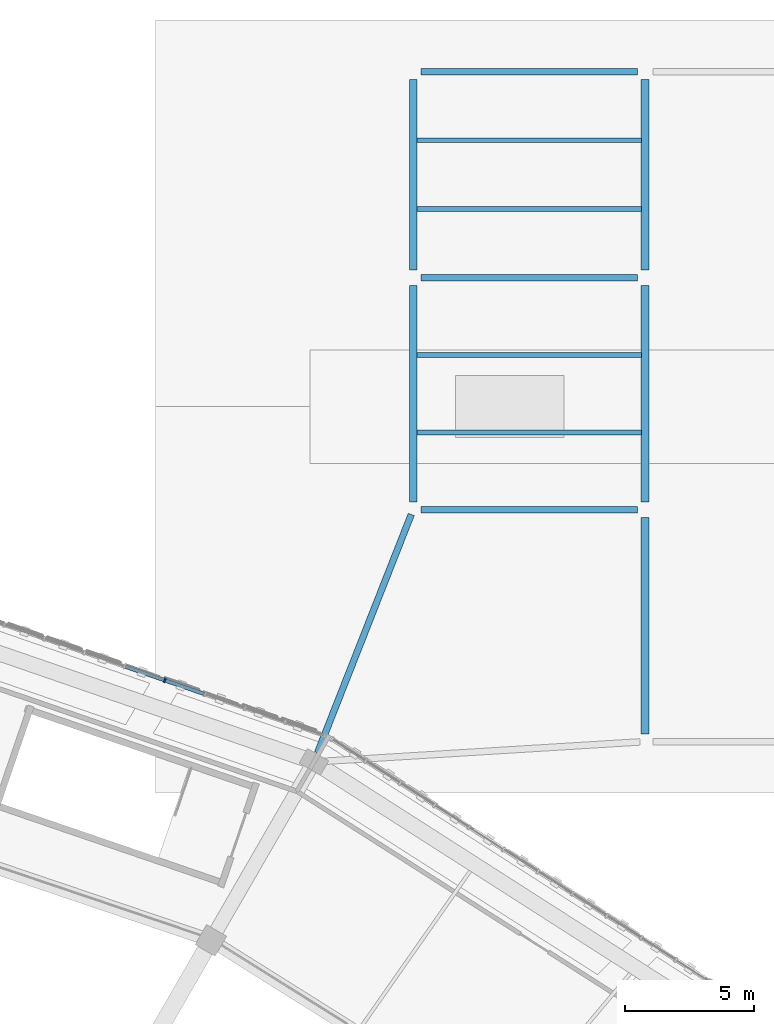
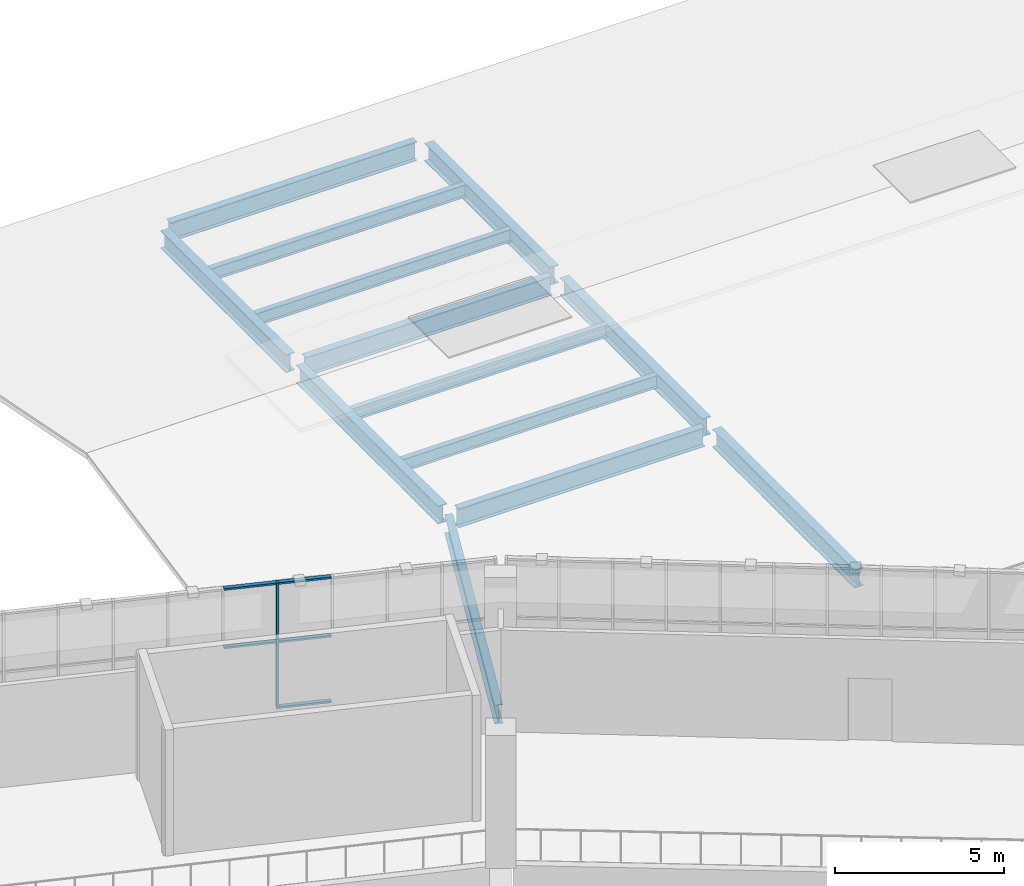
# One storey, part 48 of 108: 13 beams, 6 members, 1 element without a shape of its own.
"""IFC4 building model written with IfcOpenShell, lengths in metres."""

from ifc_helpers import new_model, si_unit, direction, frame, origin, origin_2d, place, context, subcontext, project, spatial, rectangle, i_section, extrude, material, material_profile, profile_set, type_object, element, aggregate, save


model = new_model("IFC4")

# Units and contexts
model_context = context("Model", 3, precision=1e-05, world=origin(), true_north=direction((0.0, 1.0)))
body_context = subcontext(model_context, "Body", "Model", "MODEL_VIEW")
ifc_project = project(units=[si_unit("LENGTHUNIT", "METRE"), si_unit("AREAUNIT", "SQUARE_METRE"), si_unit("VOLUMEUNIT", "CUBIC_METRE"), si_unit("PLANEANGLEUNIT", "RADIAN"), si_unit("MASSUNIT", "GRAM", prefix="KILO")], contexts=[model_context])

# Site, building, storey
site_placement = place(None, origin())
site = spatial("IfcSite", under=ifc_project, at=site_placement, CompositionType="ELEMENT")
building_placement = place(site_placement, origin())
building = spatial("IfcBuilding", under=site, at=building_placement, Name="Zevraka Park Crest Stadium", CompositionType="ELEMENT")
storey_placement = place(building_placement, frame((0.0, 0.0, 19.800048828125)))
storey = spatial("IfcBuildingStorey", under=building, at=storey_placement, Name="L04", CompositionType="ELEMENT", Elevation=19.800048828125)

# Beams
ifc_material_1 = material(Name="Steel S355", Category="steel")
ifc_material_profile_1 = material_profile(ifc_material_1, i_section(OverallWidth=0.253662109375, OverallDepth=0.68359375, WebThickness=0.012451171875, FlangeThickness=0.01904296875, at=origin_2d()), Name="UKB 686x254x140")
ifc_profile_set_1 = profile_set([ifc_material_profile_1], Name="Steel S355")
beam_type_1 = type_object("IfcBeamType", Name="BG05", PredefinedType="BEAM", material=ifc_profile_set_1)
beam_1_placement = place(storey_placement, frame((161.300048828125, 167.0, -0.60986328125), z_axis=(1.0, 0.0, 0.0), x_axis=(0.0, 1.0, 0.0)))
element("IfcBeam", 1, at=beam_1_placement, inside=storey, type_object=beam_type_1, Name="Wing Girder BG05 L04-1819/U", PredefinedType="BEAM", context=body_context, shape_type="SweptSolid", body=[
    extrude(i_section(OverallWidth=0.253662109375, OverallDepth=0.68359375, WebThickness=0.012451171875, FlangeThickness=0.01904296875, at=origin_2d()), origin(), (0.0, 0.0, 1.0), 8.39990234375),
])
beam_2_placement = place(storey_placement, frame((160.927001953125, 166.81396484375, -0.60986328125), z_axis=(-0.366068857267, -0.930587766812, 0.0), x_axis=(0.930587766812, -0.366068857267, 0.0)))
element("IfcBeam", 2, at=beam_2_placement, inside=storey, type_object=beam_type_1, Name="Wing Link Girder BG05 L04-18/U", PredefinedType="BEAM", context=body_context, shape_type="SweptSolid", body=[
    extrude(i_section(OverallWidth=0.253662109375, OverallDepth=0.68359375, WebThickness=0.012451171875, FlangeThickness=0.01904296875, at=origin_2d()), origin(), (0.0, 0.0, 1.0), 9.937744140625),
])
for number, where, z_axis, x_axis, name in (
    (3, (161.300048828125, 176.0, -0.60986328125), (1.0, 0.0, 0.0), (0.0, 1.0, 0.0), "Wing Girder BG05 L04-1819/V"),
    (4, (161.300048828125, 184.0, -0.60986328125), (1.0, 0.0, 0.0), (0.0, 1.0, 0.0), "Wing Girder BG05 L04-1819/W"),
):
    element("IfcBeam", number, at=place(storey_placement, frame(where, z_axis=z_axis, x_axis=x_axis)), inside=storey, type_object=beam_type_1, Name=name, PredefinedType="BEAM", context=body_context, shape_type="SweptSolid", body=[
        extrude(i_section(OverallWidth=0.253662109375, OverallDepth=0.68359375, WebThickness=0.012451171875, FlangeThickness=0.01904296875, at=origin_2d()), origin(), (0.0, 0.0, 1.0), 8.39990234375),
    ])
ifc_material_2 = material(Name="Steel S355", Category="steel")
ifc_material_profile_2 = material_profile(ifc_material_2, i_section(OverallWidth=0.300048828125, OverallDepth=0.64990234375, WebThickness=0.01611328125, FlangeThickness=0.031005859375, at=origin_2d()), Name="HEB 650")
ifc_profile_set_2 = profile_set([ifc_material_profile_2], Name="Steel S355")
beam_type_2 = type_object("IfcBeamType", Name="BG07", PredefinedType="BEAM", material=ifc_profile_set_2)
beam_3_placement = place(storey_placement, frame((161.0, 167.300048828125, -0.593017578125), z_axis=(0.0, 1.0, 0.0), x_axis=(-1.0, 0.0, 0.0)))
element("IfcBeam", 5, at=beam_3_placement, inside=storey, type_object=beam_type_2, Name="Wing Girder BG07 L04-18/UV", PredefinedType="BEAM", context=body_context, shape_type="SweptSolid", body=[
    extrude(i_section(OverallWidth=0.300048828125, OverallDepth=0.64990234375, WebThickness=0.01611328125, FlangeThickness=0.031005859375, at=origin_2d()), origin(), (0.0, 0.0, 1.0), 8.39990234375),
])
beam_4_placement = place(storey_placement, frame((161.0, 176.300048828125, -0.593017578125), z_axis=(0.0, 1.0, 0.0), x_axis=(-1.0, 0.0, 0.0)))
element("IfcBeam", 6, at=beam_4_placement, inside=storey, type_object=beam_type_2, Name="Wing Girder BG07 L04-18/VW", PredefinedType="BEAM", context=body_context, shape_type="SweptSolid", body=[
    extrude(i_section(OverallWidth=0.300048828125, OverallDepth=0.64990234375, WebThickness=0.01611328125, FlangeThickness=0.031005859375, at=origin_2d()), origin(), (0.0, 0.0, 1.0), 7.39990234375),
])
for number, where, z_axis, x_axis, name in (
    (7, (170.0, 158.300048828125, -0.593017578125), (0.0, 1.0, 0.0), (-1.0, 0.0, 0.0), "Wing Girder BG07 L04-19/TU"),
    (8, (170.0, 167.300048828125, -0.593017578125), (0.0, 1.0, 0.0), (-1.0, 0.0, 0.0), "Wing Girder BG07 L04-19/UV"),
):
    element("IfcBeam", number, at=place(storey_placement, frame(where, z_axis=z_axis, x_axis=x_axis)), inside=storey, type_object=beam_type_2, Name=name, PredefinedType="BEAM", context=body_context, shape_type="SweptSolid", body=[
        extrude(i_section(OverallWidth=0.300048828125, OverallDepth=0.64990234375, WebThickness=0.01611328125, FlangeThickness=0.031005859375, at=origin_2d()), origin(), (0.0, 0.0, 1.0), 8.39990234375),
    ])
beam_5_placement = place(storey_placement, frame((170.0, 176.300048828125, -0.593017578125), z_axis=(0.0, 1.0, 0.0), x_axis=(-1.0, 0.0, 0.0)))
element("IfcBeam", 9, at=beam_5_placement, inside=storey, type_object=beam_type_2, Name="Wing Girder BG07 L04-19/VW", PredefinedType="BEAM", context=body_context, shape_type="SweptSolid", body=[
    extrude(i_section(OverallWidth=0.300048828125, OverallDepth=0.64990234375, WebThickness=0.01611328125, FlangeThickness=0.031005859375, at=origin_2d()), origin(), (0.0, 0.0, 1.0), 7.39990234375),
])

# Curtain wall, members
ifc_material_3 = material(Name="Anodised architectural aluminium and laminated safety glass", Category="aluminium")
curtain_wall_type = type_object("IfcCurtainWallType", Name="CW17", PredefinedType="NOTDEFINED", material=ifc_material_3)
curtain_wall_placement = place(storey_placement, origin())
curtain_wall = element("IfcCurtainWall", 10, at=curtain_wall_placement, inside=storey, type_object=curtain_wall_type, Name="Unitised Ring Curtain Wall CW17 L04-04", PredefinedType="NOTDEFINED")
ifc_material_4 = material(Name="Anodised architectural aluminium", Category="aluminium")
ifc_material_profile_3 = material_profile(ifc_material_4, rectangle(XDim=0.179931640625, YDim=0.06494140625, at=origin_2d()), Name="ALU MULLION 180x65")
ifc_profile_set_3 = profile_set([ifc_material_profile_3], Name="Anodised architectural aluminium")
member_type_1 = type_object("IfcMemberType", Name="CM02", PredefinedType="MULLION", material=ifc_profile_set_3)
member_1_placement = place(storey_placement, frame((151.3623046875, 160.37841796875, 0.0), z_axis=(0.0, 0.0, 1.0), x_axis=(-0.327244524523, -0.944939691816, 0.0)))
member_1 = element("IfcMember", 11, at=member_1_placement, type_object=member_type_1, Name="CW17 mullion 5", PredefinedType="MULLION", context=body_context, shape_type="SweptSolid", body=[
    extrude(rectangle(XDim=0.179931640625, YDim=0.06494140625, at=origin_2d()), origin(), (0.0, 0.0, 1.0), 4.5400390625),
])
ifc_material_5 = material(Name="Anodised architectural aluminium", Category="aluminium")
ifc_material_profile_4 = material_profile(ifc_material_5, rectangle(XDim=0.139892578125, YDim=0.06494140625, at=origin_2d()), Name="ALU TRANSOM 140x65")
ifc_profile_set_4 = profile_set([ifc_material_profile_4], Name="Anodised architectural aluminium")
member_type_2 = type_object("IfcMemberType", Name="CT02", PredefinedType="USERDEFINED", material=ifc_profile_set_4)
member_2_placement = place(storey_placement, frame((152.888916015625, 159.849609375, 0.032470703125), z_axis=(-0.944932887153, 0.327264172766, 0.0), x_axis=(-0.327264172766, -0.944932887153, 0.0)))
member_2 = element("IfcMember", 12, at=member_2_placement, type_object=member_type_2, Name="CW17 transom 4.1", ObjectType="TRANSOM", PredefinedType="USERDEFINED", context=body_context, shape_type="SweptSolid", body=[
    extrude(rectangle(XDim=0.139892578125, YDim=0.06494140625, at=origin_2d()), origin(), (0.0, 0.0, 1.0), 1.5830078125),
])
member_3_placement = place(storey_placement, frame((152.888916015625, 159.849609375, 2.39990234375), z_axis=(-0.944932887153, 0.327264172766, 0.0), x_axis=(-0.327264172766, -0.944932887153, 0.0)))
member_3 = element("IfcMember", 13, at=member_3_placement, type_object=member_type_2, Name="CW17 transom 4.2", ObjectType="TRANSOM", PredefinedType="USERDEFINED", context=body_context, shape_type="SweptSolid", body=[
    extrude(rectangle(XDim=0.139892578125, YDim=0.06494140625, at=origin_2d()), origin(), (0.0, 0.0, 1.0), 1.5830078125),
])
member_4_placement = place(storey_placement, frame((152.888916015625, 159.849609375, 4.507568359375), z_axis=(-0.944932887153, 0.327264172766, 0.0), x_axis=(-0.327264172766, -0.944932887153, 0.0)))
member_4 = element("IfcMember", 14, at=member_4_placement, type_object=member_type_2, Name="CW17 transom 4.3", ObjectType="TRANSOM", PredefinedType="USERDEFINED", context=body_context, shape_type="SweptSolid", body=[
    extrude(rectangle(XDim=0.139892578125, YDim=0.06494140625, at=origin_2d()), origin(), (0.0, 0.0, 1.0), 1.5830078125),
])
member_5_placement = place(storey_placement, frame((151.33154296875, 160.38916015625, 2.39990234375), z_axis=(-0.94494940126, 0.327216486533, 0.0), x_axis=(-0.327216486533, -0.94494940126, 0.0)))
member_5 = element("IfcMember", 15, at=member_5_placement, type_object=member_type_2, Name="CW17 transom 5.2", ObjectType="TRANSOM", PredefinedType="USERDEFINED", context=body_context, shape_type="SweptSolid", body=[
    extrude(rectangle(XDim=0.139892578125, YDim=0.06494140625, at=origin_2d()), origin(), (0.0, 0.0, 1.0), 1.583251953125),
])
member_6_placement = place(storey_placement, frame((151.33154296875, 160.38916015625, 4.507568359375), z_axis=(-0.94494940126, 0.327216486533, 0.0), x_axis=(-0.327216486533, -0.94494940126, 0.0)))
member_6 = element("IfcMember", 16, at=member_6_placement, type_object=member_type_2, Name="CW17 transom 5.3", ObjectType="TRANSOM", PredefinedType="USERDEFINED", context=body_context, shape_type="SweptSolid", body=[
    extrude(rectangle(XDim=0.139892578125, YDim=0.06494140625, at=origin_2d()), origin(), (0.0, 0.0, 1.0), 1.583251953125),
])
aggregate(curtain_wall, [member_1, member_2, member_3, member_4, member_5, member_6])

# Beams
ifc_material_6 = material(Name="Steel S355", Category="steel")
ifc_material_profile_5 = material_profile(ifc_material_6, i_section(OverallWidth=0.18994140625, OverallDepth=0.45703125, WebThickness=0.009033203125, FlangeThickness=0.014404296875, at=origin_2d()), Name="UKB 457x191x74")
ifc_profile_set_5 = profile_set([ifc_material_profile_5], Name="Steel S355")
beam_type_3 = type_object("IfcBeamType", Name="SJ12", PredefinedType="JOIST", material=ifc_profile_set_5)
for number, where, z_axis, x_axis, name in (
    (17, (161.14501953125, 170.0, -0.49853515625), (1.0, 0.0, 0.0), (0.0, 1.0, 0.0), "Wing Joist SJ12 L04-18/U-1"),
    (18, (161.14501953125, 173.0, -0.49853515625), (1.0, 0.0, 0.0), (0.0, 1.0, 0.0), "Wing Joist SJ12 L04-18/U-2"),
    (19, (161.14501953125, 178.6669921875, -0.49853515625), (1.0, 0.0, 0.0), (0.0, 1.0, 0.0), "Wing Joist SJ12 L04-18/V-1"),
    (20, (161.14501953125, 181.3330078125, -0.49853515625), (1.0, 0.0, 0.0), (0.0, 1.0, 0.0), "Wing Joist SJ12 L04-18/V-2"),
):
    element("IfcBeam", number, at=place(storey_placement, frame(where, z_axis=z_axis, x_axis=x_axis)), inside=storey, type_object=beam_type_3, Name=name, PredefinedType="JOIST", context=body_context, shape_type="SweptSolid", body=[
        extrude(i_section(OverallWidth=0.18994140625, OverallDepth=0.45703125, WebThickness=0.009033203125, FlangeThickness=0.014404296875, at=origin_2d()), origin(), (0.0, 0.0, 1.0), 8.7099609375),
    ])

save(model, "model.ifc")
